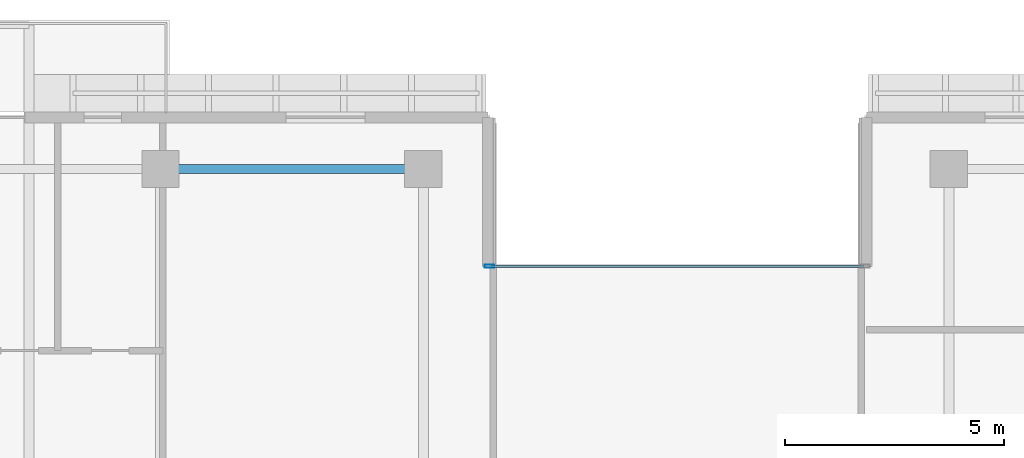
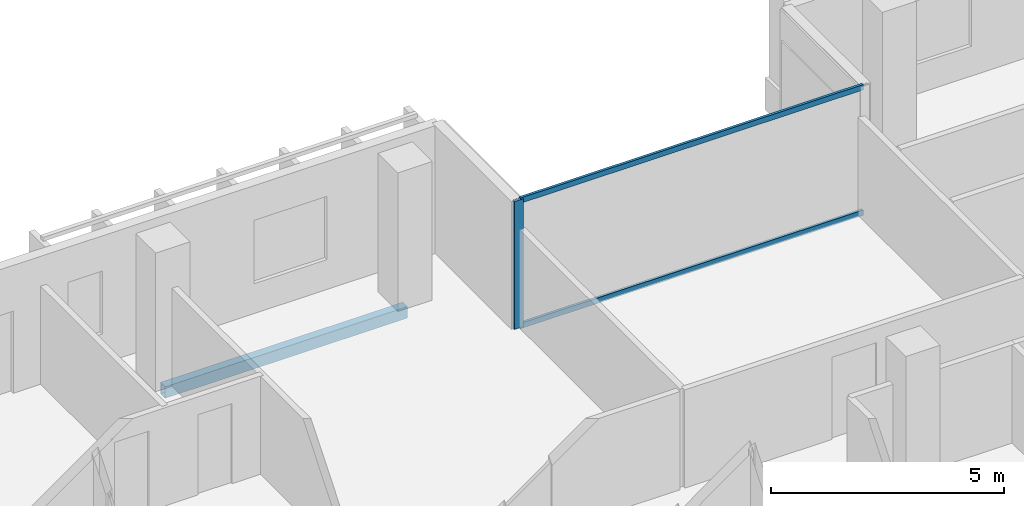
# One storey, part 10 of 31: 3 members, 1 beam, 1 element without a shape of its own.
"""IFC4 building model written with IfcOpenShell, lengths in metres."""

import ifcopenshell
import ifcopenshell.guid

model = None  # the IFC model being written
_history = None  # IfcOwnerHistory: only IFC2X3 demands one
_inside = {}  # id of a spatial element -> (the spatial element, [elements in it])
_under = {}  # id of a project, library or spatial element -> (it, [spatial elements below it])
_declared = {}  # id of a project -> (the project, [libraries it declares])
_typed = {}  # id of a type object -> (the type object, [elements of that type])
_made_of = {}  # id of a material, layer set ... -> (it, [elements and type objects made of it])


def new_model(schema):
    """Start an empty IFC model of exactly this schema.

    Asked for "IFC4X3", IfcOpenShell would pick the latest addendum, in which some entities
    have other attributes; the version numbers below select the first issue.
    IFC2X3 requires an IfcOwnerHistory on every rooted entity: one is made here for all.
    """
    global model, _history
    if schema == "IFC4X3":
        model = ifcopenshell.file(schema_version=(4, 3, 0, 0))
    else:
        model = ifcopenshell.file(schema=schema)
    _inside.clear()
    _under.clear()
    _declared.clear()
    _typed.clear()
    _made_of.clear()
    _history = None
    if model.schema == "IFC2X3":
        org = make("IfcOrganization", Name="unknown")
        user = make(
            "IfcPersonAndOrganization",
            ThePerson=make("IfcPerson", FamilyName="unknown"),
            TheOrganization=org,
        )
        app = make(
            "IfcApplication",
            ApplicationDeveloper=org,
            Version="unknown",
            ApplicationFullName="unknown",
            ApplicationIdentifier="unknown",
        )
        _history = make(
            "IfcOwnerHistory",
            OwningUser=user,
            OwningApplication=app,
            ChangeAction="ADDED",
            CreationDate=0,
        )
    return model


def make(cls, **values):
    """One entity of the class cls with the attributes given. An attribute that is None is left unset."""
    return model.create_entity(
        cls, **{name: value for name, value in values.items() if value is not None}
    )


def rooted(cls, **values):
    """An entity with a GlobalId (a new one), such as an element, a storey or a relation."""
    return make(cls, GlobalId=ifcopenshell.guid.new(), OwnerHistory=_history, **values)


def si_unit(unit_type, name, prefix=None):
    """IfcSIUnit, for example si_unit("LENGTHUNIT", "METRE", prefix="MILLI")."""
    return make("IfcSIUnit", UnitType=unit_type, Prefix=prefix, Name=name)


def assignment(units):
    """IfcUnitAssignment: the units of a project."""
    return None if units is None else make("IfcUnitAssignment", Units=units)


def point(xyz):
    """IfcCartesianPoint."""
    return None if xyz is None else make("IfcCartesianPoint", Coordinates=xyz)


def direction(xyz):
    """IfcDirection."""
    return None if xyz is None else make("IfcDirection", DirectionRatios=xyz)


def frame(location, z_axis=None, x_axis=None):
    """IfcAxis2Placement3D, a coordinate frame: its origin and axes. An axis left out is left unset."""
    return make(
        "IfcAxis2Placement3D",
        Location=point(location),
        Axis=direction(z_axis),
        RefDirection=direction(x_axis),
    )


def frame_2d(location, x_axis=None):
    """IfcAxis2Placement2D, a coordinate frame in the plane: its origin and x axis."""
    return make(
        "IfcAxis2Placement2D", Location=point(location), RefDirection=direction(x_axis)
    )


def origin():
    """The frame at (0, 0, 0) with its axes left unset."""
    return frame((0.0, 0.0, 0.0))


def origin_2d():
    """The frame at (0, 0) in the plane with its x axis left unset."""
    return frame_2d((0.0, 0.0))


def place(relative_to, where):
    """IfcLocalPlacement: puts the frame where relative to a parent placement (None: the world)."""
    return make(
        "IfcLocalPlacement", PlacementRelTo=relative_to, RelativePlacement=where
    )


def context(
    kind, dimensions, precision=None, world=None, true_north=None, identifier=None
):
    """IfcGeometricRepresentationContext, for example the 3D "Model" context."""
    return make(
        "IfcGeometricRepresentationContext",
        ContextIdentifier=identifier,
        ContextType=kind,
        CoordinateSpaceDimension=dimensions,
        Precision=precision,
        WorldCoordinateSystem=world,
        TrueNorth=true_north,
    )


def subcontext(parent, identifier, kind, view, scale=None):
    """IfcGeometricRepresentationSubContext, for example "Body" below "Model"."""
    return make(
        "IfcGeometricRepresentationSubContext",
        ContextIdentifier=identifier,
        ContextType=kind,
        ParentContext=parent,
        TargetScale=scale,
        TargetView=view,
    )


def project(units=None, contexts=None):
    """IfcProject with its units and contexts."""
    return rooted(
        "IfcProject",
        Name="project",
        RepresentationContexts=contexts,
        UnitsInContext=assignment(units),
    )


def spatial(cls, under=None, at=None, **own):
    """A site, building, storey or space (cls), placed at a placement, below another one or the project."""
    s = rooted(cls, ObjectPlacement=at, **own)
    if under is not None:
        _under.setdefault(under.id(), (under, []))[1].append(s)
    return s


def profile(cls, at=None, kind="AREA", **sizes):
    """A parametric profile (cls). Its sizes go by their IFC names, for example OverallWidth=200.0."""
    return make(cls, ProfileType=kind, Position=at, **sizes)


def hollow_rectangle(**sizes):
    """IfcRectangleHollowProfileDef."""
    return profile("IfcRectangleHollowProfileDef", **sizes)


def extrude(swept, where, along, depth):
    """IfcExtrudedAreaSolid: the profile swept, set in the frame where, extruded along a direction by depth."""
    return make(
        "IfcExtrudedAreaSolid",
        SweptArea=swept,
        Position=where,
        ExtrudedDirection=direction(along),
        Depth=depth,
    )


def shape(context_of_items, identifier, shape_type, items):
    """IfcShapeRepresentation: the items that make up one representation, for example the "Body"."""
    return make(
        "IfcShapeRepresentation",
        ContextOfItems=context_of_items,
        RepresentationIdentifier=identifier,
        RepresentationType=shape_type,
        Items=items,
    )


def material(Name=None, Category=None):
    """IfcMaterial."""
    return make("IfcMaterial", Name=Name, Category=Category)


def layer(
    of_material, thickness, ventilated=None, Name=None, Category=None, Priority=None
):
    """IfcMaterialLayer: one layer of a wall or slab, of a material (None: an air gap)."""
    return make(
        "IfcMaterialLayer",
        Material=of_material,
        LayerThickness=thickness,
        IsVentilated=ventilated,
        Name=Name,
        Category=Category,
        Priority=Priority,
    )


def layer_set(layers, Name=None):
    """IfcMaterialLayerSet."""
    return make("IfcMaterialLayerSet", MaterialLayers=layers, LayerSetName=Name)


def material_profile(
    of_material, cross_section, Name=None, Category=None, Priority=None
):
    """IfcMaterialProfile: a cross section and its material."""
    return make(
        "IfcMaterialProfile",
        Name=Name,
        Material=of_material,
        Profile=cross_section,
        Priority=Priority,
        Category=Category,
    )


def profile_set(profiles, Name=None, composite=None):
    """IfcMaterialProfileSet."""
    return make(
        "IfcMaterialProfileSet",
        Name=Name,
        MaterialProfiles=profiles,
        CompositeProfile=composite,
    )


def made_of(thing, what):
    """Note that an element or type object is made of a material, layer set ...; save() writes the relation."""
    if what is not None:
        _made_of.setdefault(what.id(), (what, []))[1].append(thing)
    return thing


def type_object(cls, material=None, **own):
    """A type object (cls), such as IfcWallType, which elements share."""
    return made_of(rooted(cls, **own), material)


def element(
    cls,
    number,
    at=None,
    inside=None,
    cuts=None,
    type_object=None,
    material=None,
    context=None,
    identifier="Body",
    shape_type=None,
    held_by="IfcProductDefinitionShape",
    body=None,
    shapes=None,
    **own,
):
    """One element of the class cls, such as IfcWall. Its Tag is "e" and its number.

    at: its placement. inside: the storey or other place that contains it. cuts: it is an
    opening in that element (IfcRelVoidsElement). A single representation is given by context,
    identifier, shape_type and body (its items); several are given by shapes. held_by: the class
    of the entity that holds the representations. save() writes the other relations.
    """
    e = rooted(cls, Tag="e%d" % number, ObjectPlacement=at, **own)
    if body is not None:
        shapes = [shape(context, identifier, shape_type, body)]
    if shapes is not None:
        e.Representation = make(held_by, Representations=shapes)
    if inside is not None:
        _inside.setdefault(inside.id(), (inside, []))[1].append(e)
    if cuts is not None:
        rooted(
            "IfcRelVoidsElement", RelatingBuildingElement=cuts, RelatedOpeningElement=e
        )
    if type_object is not None:
        _typed.setdefault(type_object.id(), (type_object, []))[1].append(e)
    return made_of(e, material)


def aggregate(whole, parts):
    """IfcRelAggregates: a whole, such as a stair, and the parts it consists of."""
    return rooted("IfcRelAggregates", RelatingObject=whole, RelatedObjects=parts)


def save(model, path):
    """Write the relations noted so far, then the file.

    IfcRelAggregates (storeys below a building ...), IfcRelContainedInSpatialStructure (elements
    in a storey), IfcRelDefinesByType, IfcRelAssociatesMaterial and IfcRelDeclares: one each for
    every whole, place, type object, material and project.
    """
    for whole, parts in _under.values():
        aggregate(whole, parts)
    for where, things in _inside.values():
        rooted(
            "IfcRelContainedInSpatialStructure",
            RelatedElements=things,
            RelatingStructure=where,
        )
    for kind, things in _typed.values():
        rooted("IfcRelDefinesByType", RelatedObjects=things, RelatingType=kind)
    for what, things in _made_of.values():
        rooted("IfcRelAssociatesMaterial", RelatedObjects=things, RelatingMaterial=what)
    for by, libraries in _declared.values():
        rooted("IfcRelDeclares", RelatingContext=by, RelatedDefinitions=libraries)
    model.write(path)


model = new_model("IFC4")

# Units and contexts
model_context = context("Model", 3, precision=1e-05, world=origin(), true_north=direction((0.0, 1.0)))
body_context = subcontext(model_context, "Body", "Model", "MODEL_VIEW")
ifc_project = project(units=[si_unit("LENGTHUNIT", "METRE"), si_unit("AREAUNIT", "SQUARE_METRE"), si_unit("VOLUMEUNIT", "CUBIC_METRE"), si_unit("PLANEANGLEUNIT", "RADIAN"), si_unit("MASSUNIT", "GRAM", prefix="KILO")], contexts=[model_context])

# Site, building, storey
site_placement = place(None, origin())
site = spatial("IfcSite", under=ifc_project, at=site_placement, CompositionType="ELEMENT")
building_placement = place(site_placement, origin())
building = spatial("IfcBuilding", under=site, at=building_placement, Name="Tanjung Sevakor Pilgrim Tower", CompositionType="ELEMENT")
storey_placement = place(building_placement, frame((0.0, 0.0, 169.2900390625)))
storey = spatial("IfcBuildingStorey", under=building, at=storey_placement, Name="L47", CompositionType="ELEMENT", Elevation=169.2900390625)

# Beam
ifc_material_1 = material(Name="Steel S355J2", Category="steel")
ifc_material_profile_1 = material_profile(ifc_material_1, hollow_rectangle(XDim=0.199951171875, YDim=0.300048828125, WallThickness=0.012451171875, at=origin_2d()))
ifc_profile_set_1 = profile_set([ifc_material_profile_1], Name="Steel S355J2")
beam_type = type_object("IfcBeamType", Name="BM-B-SP3-RHS_300x200x12.5", PredefinedType="SPANDREL", material=ifc_profile_set_1)
beam_placement = place(storey_placement, frame((36.0, 54.0, -0.3701171875), z_axis=(1.0, 0.0, 0.0), x_axis=(0.0, 1.0, 0.0)))
element("IfcBeam", 1, at=beam_placement, inside=storey, type_object=beam_type, Name="L47 Spandrel MAIN N-06", PredefinedType="SPANDREL", context=body_context, shape_type="SweptSolid", body=[
    extrude(hollow_rectangle(XDim=0.199951171875, YDim=0.300048828125, WallThickness=0.012451171875, at=origin_2d()), origin(), (0.0, 0.0, 1.0), 6.0),
])

# Curtain wall, members
ifc_material_2 = material(Name="Aluminium 6063-T6 and Low-E Glass", Category="aluminium")
ifc_layer = layer(ifc_material_2, 0.179931640625)
ifc_layer_set = layer_set([ifc_layer], Name="CW-SYS-CLEFT")
curtain_wall_type = type_object("IfcCurtainWallType", Name="CW-SYS-CLEFT", PredefinedType="NOTDEFINED", material=ifc_layer_set)
curtain_wall_placement = place(storey_placement, origin())
curtain_wall = element("IfcCurtainWall", 2, at=curtain_wall_placement, inside=storey, type_object=curtain_wall_type, Name="L47 Curtain Wall CW-CLF-L47-10", PredefinedType="NOTDEFINED")
ifc_material_3 = material(Name="Aluminium 6063-T6", Category="aluminium")
ifc_material_profile_2 = material_profile(ifc_material_3, hollow_rectangle(XDim=0.074951171875, YDim=0.219970703125, WallThickness=0.0048828125, at=origin_2d()))
ifc_profile_set_2 = profile_set([ifc_material_profile_2], Name="Aluminium 6063-T6")
member_type_1 = type_object("IfcMemberType", Name="TYPE-CWM-2", PredefinedType="MULLION", material=ifc_profile_set_2)
member_1_placement = place(storey_placement, frame((43.512451171875, 51.77490234375, 0.0), z_axis=(0.0, 0.0, 1.0), x_axis=(0.0, -1.0, 0.0)))
member_1 = element("IfcMember", 3, at=member_1_placement, type_object=member_type_1, Name="CW-CLF mullion 2", PredefinedType="MULLION", context=body_context, shape_type="SweptSolid", body=[
    extrude(hollow_rectangle(XDim=0.074951171875, YDim=0.219970703125, WallThickness=0.0048828125, at=origin_2d()), origin(), (0.0, 0.0, 1.0), 3.349853515625),
])
ifc_material_4 = material(Name="Aluminium 6063-T6", Category="aluminium")
ifc_material_profile_3 = material_profile(ifc_material_4, hollow_rectangle(XDim=0.06494140625, YDim=0.139892578125, WallThickness=0.00390625, at=origin_2d()))
ifc_profile_set_3 = profile_set([ifc_material_profile_3], Name="Aluminium 6063-T6")
member_type_2 = type_object("IfcMemberType", Name="TYPE-CWT-1", PredefinedType="USERDEFINED", material=ifc_profile_set_3)
member_2_placement = place(storey_placement, frame((52.050048828125, 51.77490234375, 0.032470703125), z_axis=(-1.0, 0.0, 0.0), x_axis=(0.0, -1.0, 0.0)))
member_2 = element("IfcMember", 4, at=member_2_placement, type_object=member_type_2, Name="CW-CLF transom 1.1", ObjectType="TRANSOM", PredefinedType="USERDEFINED", context=body_context, shape_type="SweptSolid", body=[
    extrude(hollow_rectangle(XDim=0.06494140625, YDim=0.139892578125, WallThickness=0.00390625, at=origin_2d()), origin(), (0.0, 0.0, 1.0), 8.5),
])
member_3_placement = place(storey_placement, frame((52.050048828125, 51.77490234375, 3.3173828125), z_axis=(-1.0, 0.0, 0.0), x_axis=(0.0, -1.0, 0.0)))
member_3 = element("IfcMember", 5, at=member_3_placement, type_object=member_type_2, Name="CW-CLF transom 1.2", ObjectType="TRANSOM", PredefinedType="USERDEFINED", context=body_context, shape_type="SweptSolid", body=[
    extrude(hollow_rectangle(XDim=0.06494140625, YDim=0.139892578125, WallThickness=0.00390625, at=origin_2d()), origin(), (0.0, 0.0, 1.0), 8.5),
])
aggregate(curtain_wall, [member_1, member_2, member_3])

save(model, "model.ifc")
